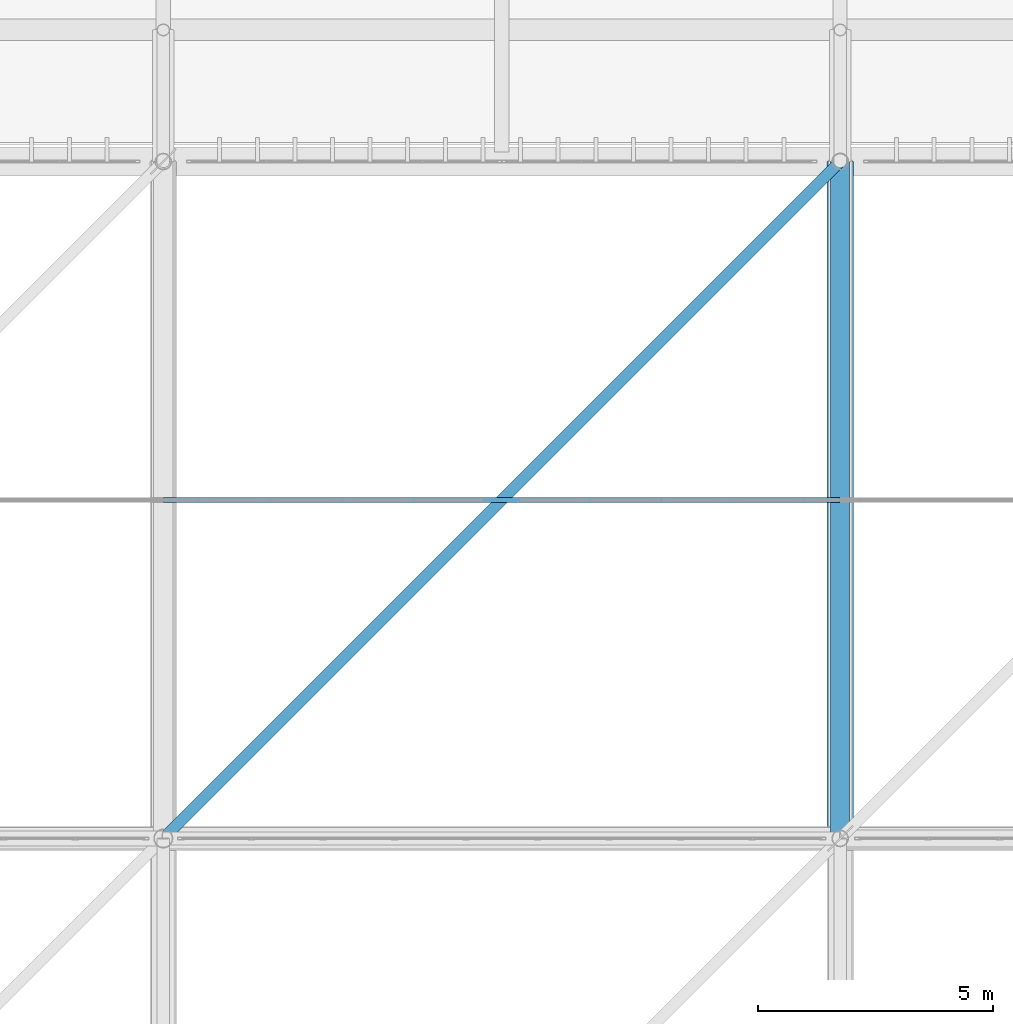
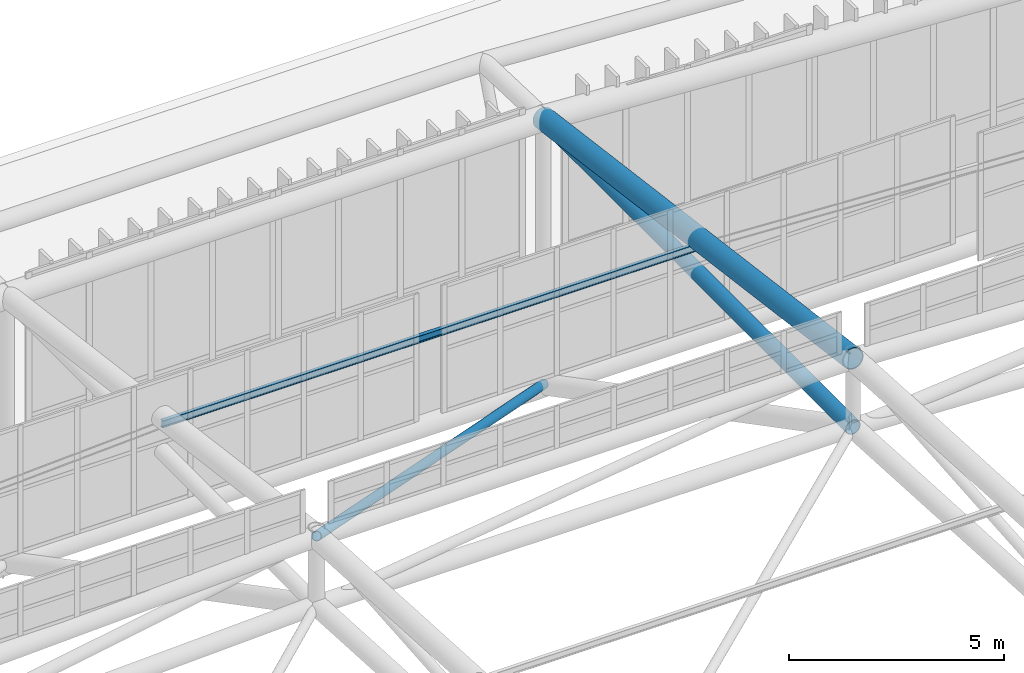
# One storey, part 303 of 397: 3 members, 1 beam.
"""IFC4 building model written with IfcOpenShell, lengths in metres."""

from ifc_helpers import new_model, si_unit, direction, frame, origin, origin_2d, place, context, subcontext, project, spatial, hollow_circle, i_section, extrude, material, material_profile, profile_set, type_object, element, save


model = new_model("IFC4")

# Units and contexts
model_context = context("Model", 3, precision=1e-05, world=origin(), true_north=direction((0.0, 1.0)))
body_context = subcontext(model_context, "Body", "Model", "MODEL_VIEW")
ifc_project = project(units=[si_unit("LENGTHUNIT", "METRE"), si_unit("AREAUNIT", "SQUARE_METRE"), si_unit("VOLUMEUNIT", "CUBIC_METRE"), si_unit("PLANEANGLEUNIT", "RADIAN"), si_unit("MASSUNIT", "GRAM", prefix="KILO")], contexts=[model_context])

# Site, building, storey
site_placement = place(None, origin())
site = spatial("IfcSite", under=ifc_project, at=site_placement, CompositionType="ELEMENT")
building_placement = place(site_placement, origin())
building = spatial("IfcBuilding", under=site, at=building_placement, Name="Qandorah Velis Arena", CompositionType="ELEMENT")
storey_placement = place(building_placement, frame((0.0, 0.0, 27.5)))
storey = spatial("IfcBuildingStorey", under=building, at=storey_placement, Name="RF", CompositionType="ELEMENT", Elevation=27.5)

# Member
ifc_material = material(Name="Steel S355", Category="steel")
ifc_material_profile_1 = material_profile(ifc_material, i_section(OverallWidth=0.10009765625, OverallDepth=0.199951171875, WebThickness=0.005615234375, FlangeThickness=0.008544921875, FilletRadius=0.011962890625, at=origin_2d()), Name="IPE 200")
ifc_profile_set_1 = profile_set([ifc_material_profile_1], Name="Steel S355")
member_type_1 = type_object("IfcMemberType", Name="STR-PRL-IPE200", PredefinedType="PURLIN", material=ifc_profile_set_1)
member_1_placement = place(storey_placement, frame((57.60009765625, 108.0, 8.389404296875), z_axis=(1.0, 0.0, 0.0), x_axis=(0.0, 1.0, 0.0)))
element("IfcMember", 1, at=member_1_placement, inside=storey, type_object=member_type_1, Name="Arena roof purlin PRL-3.6", PredefinedType="PURLIN", context=body_context, shape_type="SweptSolid", body=[
    extrude(i_section(OverallWidth=0.10009765625, OverallDepth=0.199951171875, WebThickness=0.005615234375, FlangeThickness=0.008544921875, FilletRadius=0.011962890625, at=origin_2d()), origin(), (0.0, 0.0, 1.0), 14.39990234375),
])

# Beam
ifc_material_profile_2 = material_profile(ifc_material, hollow_circle(Radius=0.279541015625, WallThickness=0.02490234375, at=origin_2d()), Name="CHS 559x25")
ifc_profile_set_2 = profile_set([ifc_material_profile_2], Name="Steel S355")
beam_type = type_object("IfcBeamType", Name="STR-SFC-CHS559X25", PredefinedType="USERDEFINED", material=ifc_profile_set_2)
beam_placement = place(storey_placement, frame((72.0, 100.800048828125, 9.563232421875), z_axis=(0.0, 0.991340420998, -0.131317057903), x_axis=(-1.0, 0.0, 0.0)))
element("IfcBeam", 2, at=beam_placement, inside=storey, type_object=beam_type, Name="Space frame roof truss top chord Y 4.6", ObjectType="ROOF TRUSS", PredefinedType="USERDEFINED", context=body_context, shape_type="SweptSolid", body=[
    extrude(hollow_circle(Radius=0.279541015625, WallThickness=0.02490234375, at=origin_2d()), origin(), (0.0, 0.0, 1.0), 14.525634765625),
])

# Members
ifc_material_profile_3 = material_profile(ifc_material, hollow_circle(Radius=0.122314453125, WallThickness=0.012451171875, at=origin_2d()), Name="CHS 244.5x12.5")
ifc_profile_set_3 = profile_set([ifc_material_profile_3], Name="Steel S355")
member_type_2 = type_object("IfcMemberType", Name="STR-SFD-CHS244X12", PredefinedType="STRUT", material=ifc_profile_set_3)
member_2_placement = place(storey_placement, frame((72.0, 115.199951171875, 0.10009765625), z_axis=(-0.641253881807, -0.641253881807, 0.421410628882), x_axis=(0.707106781187, -0.707106781187, 0.0)))
element("IfcMember", 3, at=member_2_placement, inside=storey, type_object=member_type_2, Name="Space frame roof spatial diagonal 3.6", PredefinedType="STRUT", context=body_context, shape_type="SweptSolid", body=[
    extrude(hollow_circle(Radius=0.122314453125, WallThickness=0.012451171875, at=origin_2d()), origin(), (0.0, 0.0, 1.0), 22.455810546875),
])
ifc_material_profile_4 = material_profile(ifc_material, hollow_circle(Radius=0.203125, WallThickness=0.01611328125, at=origin_2d()), Name="CHS 406.4x16")
ifc_profile_set_4 = profile_set([ifc_material_profile_4], Name="Steel S355")
member_type_3 = type_object("IfcMemberType", Name="STR-SFD-CHS406X16", PredefinedType="STRUT", material=ifc_profile_set_4)
member_3_placement = place(storey_placement, frame((72.0, 100.800048828125, 7.61328125), z_axis=(0.0, 0.999995648623, 0.002950039722), x_axis=(-1.0, 0.0, 0.0)))
element("IfcMember", 4, at=member_3_placement, inside=storey, type_object=member_type_3, Name="Space frame roof diagonal Y 4.6", PredefinedType="STRUT", context=body_context, shape_type="SweptSolid", body=[
    extrude(hollow_circle(Radius=0.203125, WallThickness=0.01611328125, at=origin_2d()), origin(), (0.0, 0.0, 1.0), 14.39990234375),
])

save(model, "model.ifc")
